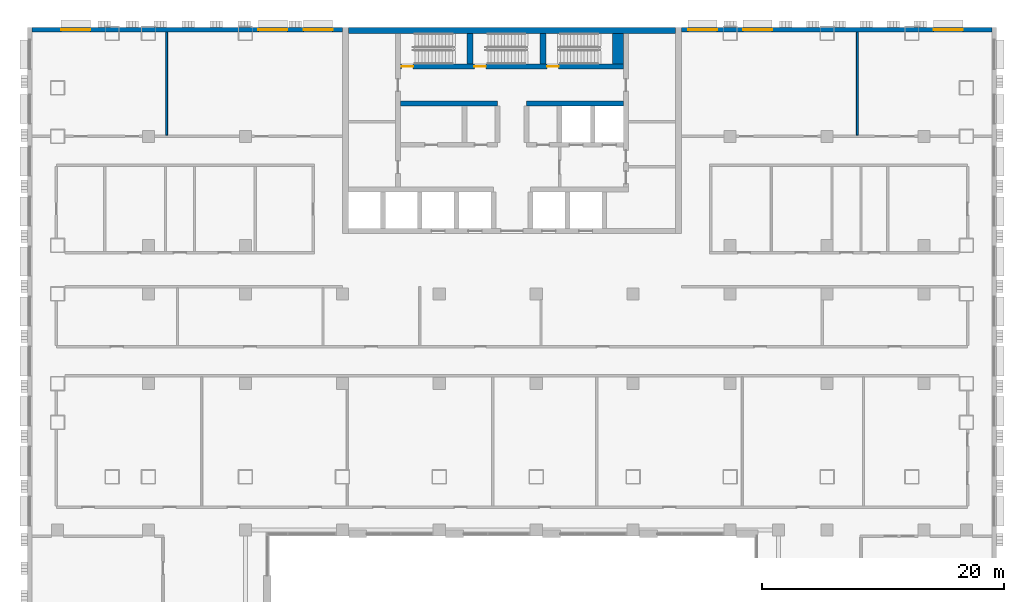
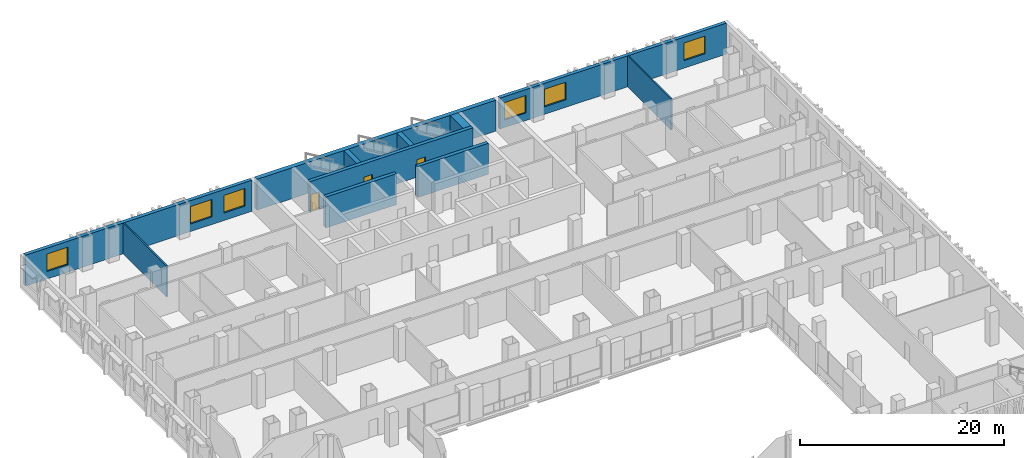
# One storey, part 16 of 25: 11 walls, 6 windows, 3 doors, 9 openings.
"""IFC4 building model written with IfcOpenShell, lengths in metres."""

from ifc_helpers import new_model, si_unit, direction, frame, frame_2d, origin, place, context, subcontext, project, spatial, rectangle, extrude, material, layer, layer_set, type_object, element, fill, save


model = new_model("IFC4")

# Units and contexts
model_context = context("Model", 3, precision=1e-05, world=origin(), true_north=direction((0.0, 1.0)))
body_context = subcontext(model_context, "Body", "Model", "MODEL_VIEW")
ifc_project = project(units=[si_unit("LENGTHUNIT", "METRE"), si_unit("AREAUNIT", "SQUARE_METRE"), si_unit("VOLUMEUNIT", "CUBIC_METRE"), si_unit("PLANEANGLEUNIT", "RADIAN"), si_unit("MASSUNIT", "GRAM", prefix="KILO")], contexts=[model_context])

# Site, building, storey
site_placement = place(None, origin())
site = spatial("IfcSite", under=ifc_project, at=site_placement, CompositionType="ELEMENT")
building_placement = place(site_placement, origin())
building = spatial("IfcBuilding", under=site, at=building_placement, Name="Vidyagriha Tower", CompositionType="ELEMENT")
storey_placement = place(building_placement, frame((0.0, 0.0, 14.0)))
storey = spatial("IfcBuildingStorey", under=building, at=storey_placement, Name="L03", CompositionType="ELEMENT", Elevation=14.0)

# Wall, openings, windows
ifc_material_1 = material(Name="Concrete C40/50 board-marked with brick facing", Category="concrete")
ifc_layer_1 = layer(ifc_material_1, 0.39990234375)
ifc_layer_set_1 = layer_set([ifc_layer_1], Name="Concrete C40/50 board-marked with brick facing")
wall_type_1 = type_object("IfcWallType", Name="Brick-faced board-marked concrete podium wall 400", PredefinedType="STANDARD", material=ifc_layer_set_1)
wall_1_placement = place(storey_placement, frame((39.60009765625, 19.800048828125, 0.0), z_axis=(0.0, 0.0, 1.0), x_axis=(-1.0, 0.0, 0.0)))
wall_1 = element("IfcWall", 1, at=wall_1_placement, inside=storey, type_object=wall_type_1, Name="Podium wall L03 R02", PredefinedType="STANDARD", context=body_context, shape_type="SweptSolid", body=[
    extrude(rectangle(XDim=25.60009765625, YDim=0.39990234375, at=frame_2d((12.800048828125, 0.0))), origin(), (0.0, 0.0, 1.0), 3.699951171875),
])
opening_1_placement = place(wall_1_placement, frame((2.39990234375, 0.0, 0.89990234375)))
opening_1 = element("IfcOpeningElement", 2, at=opening_1_placement, cuts=wall_1, Name="Opening WN3", PredefinedType="OPENING", context=body_context, shape_type="SweptSolid", body=[
    extrude(rectangle(XDim=2.39990234375, YDim=2.10009765625, at=frame_2d((1.199951171875, 1.050048828125))), frame((0.0, 0.2099609375, 0.0), z_axis=(0.0, -1.0, 0.0), x_axis=(1.0, 0.0, 0.0)), (0.0, 0.0, 1.0), 0.419921875),
])
opening_2_placement = place(wall_1_placement, frame((18.135009765625, 0.0, 0.89990234375)))
opening_2 = element("IfcOpeningElement", 3, at=opening_2_placement, cuts=wall_1, Name="Opening WN3", PredefinedType="OPENING", context=body_context, shape_type="SweptSolid", body=[
    extrude(rectangle(XDim=2.39990234375, YDim=2.10009765625, at=frame_2d((1.199951171875, 1.050048828125))), frame((0.0, 0.2099609375, 0.0), z_axis=(0.0, -1.0, 0.0), x_axis=(1.0, 0.0, 0.0)), (0.0, 0.0, 1.0), 0.419921875),
])
opening_3_placement = place(wall_1_placement, frame((22.6650390625, 0.0, 0.89990234375)))
opening_3 = element("IfcOpeningElement", 4, at=opening_3_placement, cuts=wall_1, Name="Opening WN3", PredefinedType="OPENING", context=body_context, shape_type="SweptSolid", body=[
    extrude(rectangle(XDim=2.39990234375, YDim=2.10009765625, at=frame_2d((1.199951171875, 1.050048828125))), frame((0.0, 0.2099609375, 0.0), z_axis=(0.0, -1.0, 0.0), x_axis=(1.0, 0.0, 0.0)), (0.0, 0.0, 1.0), 0.419921875),
])
ifc_material_2 = material(Name="Aluminium and glass window", Category="aluminium")
window_type = type_object("IfcWindowType", Name="Podium school window 2400x2100", PartitioningType="NOTDEFINED", PredefinedType="WINDOW", material=ifc_material_2)
window_1_placement = place(opening_1_placement, origin())
window_1 = element("IfcWindow", 5, at=window_1_placement, inside=storey, type_object=window_type, Name="School window L03 R02.2", OverallHeight=2.10009765625, OverallWidth=2.39990234375, PartitioningType="SINGLE_PANEL", PredefinedType="WINDOW", context=body_context, shape_type="SweptSolid", body=[
    extrude(rectangle(XDim=2.39990234375, YDim=2.10009765625, at=frame_2d((1.199951171875, 1.050048828125))), frame((0.0, 0.030029296875, 0.0), z_axis=(0.0, -1.0, 0.0), x_axis=(1.0, 0.0, 0.0)), (0.0, 0.0, 1.0), 0.06005859375),
])
fill(opening_1, window_1)
window_2_placement = place(opening_2_placement, origin())
window_2 = element("IfcWindow", 6, at=window_2_placement, inside=storey, type_object=window_type, Name="School window L03 R02.12", OverallHeight=2.10009765625, OverallWidth=2.39990234375, PartitioningType="SINGLE_PANEL", PredefinedType="WINDOW", context=body_context, shape_type="SweptSolid", body=[
    extrude(rectangle(XDim=2.39990234375, YDim=2.10009765625, at=frame_2d((1.199951171875, 1.050048828125))), frame((0.0, 0.030029296875, 0.0), z_axis=(0.0, -1.0, 0.0), x_axis=(1.0, 0.0, 0.0)), (0.0, 0.0, 1.0), 0.06005859375),
])
fill(opening_2, window_2)
window_3_placement = place(opening_3_placement, origin())
window_3 = element("IfcWindow", 7, at=window_3_placement, inside=storey, type_object=window_type, Name="School window L03 R02.14", OverallHeight=2.10009765625, OverallWidth=2.39990234375, PartitioningType="SINGLE_PANEL", PredefinedType="WINDOW", context=body_context, shape_type="SweptSolid", body=[
    extrude(rectangle(XDim=2.39990234375, YDim=2.10009765625, at=frame_2d((1.199951171875, 1.050048828125))), frame((0.0, 0.030029296875, 0.0), z_axis=(0.0, -1.0, 0.0), x_axis=(1.0, 0.0, 0.0)), (0.0, 0.0, 1.0), 0.06005859375),
])
fill(opening_3, window_3)

wall_2_placement = place(storey_placement, frame((-14.0, 19.800048828125, 0.0), z_axis=(0.0, 0.0, 1.0), x_axis=(-1.0, 0.0, 0.0)))
wall_2 = element("IfcWall", 8, at=wall_2_placement, inside=storey, type_object=wall_type_1, Name="Podium wall L03 R04", PredefinedType="STANDARD", context=body_context, shape_type="SweptSolid", body=[
    extrude(rectangle(XDim=25.60009765625, YDim=0.39990234375, at=frame_2d((12.800048828125, 0.0))), origin(), (0.0, 0.0, 1.0), 3.699951171875),
])
opening_4_placement = place(wall_2_placement, frame((0.800048828125, 0.0, 0.89990234375)))
opening_4 = element("IfcOpeningElement", 9, at=opening_4_placement, cuts=wall_2, Name="Opening WN3", PredefinedType="OPENING", context=body_context, shape_type="SweptSolid", body=[
    extrude(rectangle(XDim=2.39990234375, YDim=2.10009765625, at=frame_2d((1.199951171875, 1.050048828125))), frame((0.0, 0.2099609375, 0.0), z_axis=(0.0, -1.0, 0.0), x_axis=(1.0, 0.0, 0.0)), (0.0, 0.0, 1.0), 0.419921875),
])
opening_5_placement = place(wall_2_placement, frame((4.534912109375, 0.0, 0.89990234375)))
opening_5 = element("IfcOpeningElement", 10, at=opening_5_placement, cuts=wall_2, Name="Opening WN3", PredefinedType="OPENING", context=body_context, shape_type="SweptSolid", body=[
    extrude(rectangle(XDim=2.39990234375, YDim=2.10009765625, at=frame_2d((1.199951171875, 1.050048828125))), frame((0.0, 0.2099609375, 0.0), z_axis=(0.0, -1.0, 0.0), x_axis=(1.0, 0.0, 0.0)), (0.0, 0.0, 1.0), 0.419921875),
])
opening_6_placement = place(wall_2_placement, frame((20.800048828125, 0.0, 0.89990234375)))
opening_6 = element("IfcOpeningElement", 11, at=opening_6_placement, cuts=wall_2, Name="Opening WN3", PredefinedType="OPENING", context=body_context, shape_type="SweptSolid", body=[
    extrude(rectangle(XDim=2.39990234375, YDim=2.10009765625, at=frame_2d((1.199951171875, 1.050048828125))), frame((0.0, 0.2099609375, 0.0), z_axis=(0.0, -1.0, 0.0), x_axis=(1.0, 0.0, 0.0)), (0.0, 0.0, 1.0), 0.419921875),
])
window_4_placement = place(opening_4_placement, origin())
window_4 = element("IfcWindow", 12, at=window_4_placement, inside=storey, type_object=window_type, Name="School window L03 R04.1", OverallHeight=2.10009765625, OverallWidth=2.39990234375, PartitioningType="SINGLE_PANEL", PredefinedType="WINDOW", context=body_context, shape_type="SweptSolid", body=[
    extrude(rectangle(XDim=2.39990234375, YDim=2.10009765625, at=frame_2d((1.199951171875, 1.050048828125))), frame((0.0, 0.030029296875, 0.0), z_axis=(0.0, -1.0, 0.0), x_axis=(1.0, 0.0, 0.0)), (0.0, 0.0, 1.0), 0.06005859375),
])
fill(opening_4, window_4)
window_5_placement = place(opening_5_placement, origin())
window_5 = element("IfcWindow", 13, at=window_5_placement, inside=storey, type_object=window_type, Name="School window L03 R04.2", OverallHeight=2.10009765625, OverallWidth=2.39990234375, PartitioningType="SINGLE_PANEL", PredefinedType="WINDOW", context=body_context, shape_type="SweptSolid", body=[
    extrude(rectangle(XDim=2.39990234375, YDim=2.10009765625, at=frame_2d((1.199951171875, 1.050048828125))), frame((0.0, 0.030029296875, 0.0), z_axis=(0.0, -1.0, 0.0), x_axis=(1.0, 0.0, 0.0)), (0.0, 0.0, 1.0), 0.06005859375),
])
fill(opening_5, window_5)
window_6_placement = place(opening_6_placement, origin())
window_6 = element("IfcWindow", 14, at=window_6_placement, inside=storey, type_object=window_type, Name="School window L03 R04.13", OverallHeight=2.10009765625, OverallWidth=2.39990234375, PartitioningType="SINGLE_PANEL", PredefinedType="WINDOW", context=body_context, shape_type="SweptSolid", body=[
    extrude(rectangle(XDim=2.39990234375, YDim=2.10009765625, at=frame_2d((1.199951171875, 1.050048828125))), frame((0.0, 0.030029296875, 0.0), z_axis=(0.0, -1.0, 0.0), x_axis=(1.0, 0.0, 0.0)), (0.0, 0.0, 1.0), 0.06005859375),
])
fill(opening_6, window_6)

# Walls
ifc_material_3 = material(Name="Concrete C60/75", Category="concrete")
ifc_layer_2 = layer(ifc_material_3, 0.39990234375)
ifc_layer_set_2 = layer_set([ifc_layer_2], Name="Concrete C60/75")
wall_type_2 = type_object("IfcWallType", Name="Core shear wall 400 mm", PredefinedType="SHEAR", material=ifc_layer_set_2)
for number, where, name in (
    (15, (-9.199951171875, 13.699951171875, 0.0), "Core row N rear wall"),
    (16, (1.199951171875, 13.699951171875, 0.0), "Core row N rear wall"),
):
    element("IfcWall", number, at=place(storey_placement, frame(where)), inside=storey, type_object=wall_type_2, Name=name, PredefinedType="SHEAR", context=body_context, shape_type="SweptSolid", body=[
        extrude(rectangle(XDim=8.0, YDim=0.39990234375, at=frame_2d((4.0, 0.0))), origin(), (0.0, 0.0, 1.0), 3.699951171875),
    ])

# Wall, openings, doors
wall_3_placement = place(storey_placement, frame((-9.199951171875, 16.75, 0.0)))
wall_3 = element("IfcWall", 17, at=wall_3_placement, inside=storey, type_object=wall_type_2, Name="Stair front wall", PredefinedType="SHEAR", context=body_context, shape_type="SweptSolid", body=[
    extrude(rectangle(XDim=18.39990234375, YDim=0.39990234375, at=frame_2d((9.199951171875, 0.0))), origin(), (0.0, 0.0, 1.0), 3.699951171875),
])
opening_7_placement = place(wall_3_placement, frame((0.10009765625, 0.0, 0.0)))
opening_7 = element("IfcOpeningElement", 18, at=opening_7_placement, cuts=wall_3, Name="Opening D03-06", PredefinedType="OPENING", context=body_context, shape_type="SweptSolid", body=[
    extrude(rectangle(XDim=0.949951171875, YDim=2.10009765625, at=frame_2d((0.47509765625, 1.050048828125))), frame((0.0, 0.2099609375, 0.0), z_axis=(0.0, -1.0, 0.0), x_axis=(1.0, 0.0, 0.0)), (0.0, 0.0, 1.0), 0.419921875),
])
opening_8_placement = place(wall_3_placement, frame((6.10009765625, 0.0, 0.0)))
opening_8 = element("IfcOpeningElement", 19, at=opening_8_placement, cuts=wall_3, Name="Opening D03-07", PredefinedType="OPENING", context=body_context, shape_type="SweptSolid", body=[
    extrude(rectangle(XDim=0.949951171875, YDim=2.10009765625, at=frame_2d((0.47509765625, 1.050048828125))), frame((0.0, 0.2099609375, 0.0), z_axis=(0.0, -1.0, 0.0), x_axis=(1.0, 0.0, 0.0)), (0.0, 0.0, 1.0), 0.419921875),
])
opening_9_placement = place(wall_3_placement, frame((12.10009765625, 0.0, 0.0)))
opening_9 = element("IfcOpeningElement", 20, at=opening_9_placement, cuts=wall_3, Name="Opening D03-08", PredefinedType="OPENING", context=body_context, shape_type="SweptSolid", body=[
    extrude(rectangle(XDim=0.949951171875, YDim=2.10009765625, at=frame_2d((0.47509765625, 1.050048828125))), frame((0.0, 0.2099609375, 0.0), z_axis=(0.0, -1.0, 0.0), x_axis=(1.0, 0.0, 0.0)), (0.0, 0.0, 1.0), 0.419921875),
])
ifc_material_4 = material(Name="Hollow metal door leaf")
door_type = type_object("IfcDoorType", Name="Exit stair door 950 x 2100 mm EI 90", OperationType="NOTDEFINED", PredefinedType="DOOR", material=ifc_material_4)
door_1_placement = place(opening_7_placement, origin())
door_1 = element("IfcDoor", 21, at=door_1_placement, inside=storey, type_object=door_type, Name="Stair door ST1 L03", OperationType="SINGLE_SWING_LEFT", OverallHeight=2.10009765625, OverallWidth=0.949951171875, PredefinedType="DOOR", context=body_context, shape_type="SweptSolid", body=[
    extrude(rectangle(XDim=0.949951171875, YDim=2.10009765625, at=frame_2d((0.47509765625, 1.050048828125))), frame((0.0, 0.02490234375, 0.0), z_axis=(0.0, -1.0, 0.0), x_axis=(1.0, 0.0, 0.0)), (0.0, 0.0, 1.0), 0.050048828125),
])
fill(opening_7, door_1)
door_2_placement = place(opening_8_placement, origin())
door_2 = element("IfcDoor", 22, at=door_2_placement, inside=storey, type_object=door_type, Name="Stair door ST2 L03", OperationType="SINGLE_SWING_LEFT", OverallHeight=2.10009765625, OverallWidth=0.949951171875, PredefinedType="DOOR", context=body_context, shape_type="SweptSolid", body=[
    extrude(rectangle(XDim=0.949951171875, YDim=2.10009765625, at=frame_2d((0.47509765625, 1.050048828125))), frame((0.0, 0.02490234375, 0.0), z_axis=(0.0, -1.0, 0.0), x_axis=(1.0, 0.0, 0.0)), (0.0, 0.0, 1.0), 0.050048828125),
])
fill(opening_8, door_2)
door_3_placement = place(opening_9_placement, origin())
door_3 = element("IfcDoor", 23, at=door_3_placement, inside=storey, type_object=door_type, Name="Stair door ST3 L03", OperationType="SINGLE_SWING_LEFT", OverallHeight=2.10009765625, OverallWidth=0.949951171875, PredefinedType="DOOR", context=body_context, shape_type="SweptSolid", body=[
    extrude(rectangle(XDim=0.949951171875, YDim=2.10009765625, at=frame_2d((0.47509765625, 1.050048828125))), frame((0.0, 0.02490234375, 0.0), z_axis=(0.0, -1.0, 0.0), x_axis=(1.0, 0.0, 0.0)), (0.0, 0.0, 1.0), 0.050048828125),
])
fill(opening_9, door_3)

# Walls
ifc_material_5 = material(Name="Concrete C60/75", Category="concrete")
ifc_layer_3 = layer(ifc_material_5, 0.5)
ifc_layer_set_3 = layer_set([ifc_layer_3], Name="Concrete C60/75")
wall_type_3 = type_object("IfcWallType", Name="Core shear wall 500 mm", PredefinedType="SHEAR", material=ifc_layer_set_3)
for number, where, z_axis, x_axis, name in (
    (24, (-3.449951171875, 16.949951171875, 0.0), (0.0, 0.0, 1.0), (0.0, 1.0, 0.0), "Stair partition wall 1"),
    (25, (2.550048828125, 16.949951171875, 0.0), (0.0, 0.0, 1.0), (0.0, 1.0, 0.0), "Stair partition wall 2"),
):
    element("IfcWall", number, at=place(storey_placement, frame(where, z_axis=z_axis, x_axis=x_axis)), inside=storey, type_object=wall_type_3, Name=name, PredefinedType="SHEAR", context=body_context, shape_type="SweptSolid", body=[
        extrude(rectangle(XDim=2.550048828125, YDim=0.5, at=frame_2d((1.27490234375, 0.0))), origin(), (0.0, 0.0, 1.0), 3.699951171875),
    ])
ifc_material_6 = material(Name="Concrete C60/75 with brick facing", Category="concrete")
ifc_layer_4 = layer(ifc_material_6, 0.5)
ifc_layer_set_4 = layer_set([ifc_layer_4], Name="Concrete C60/75 with brick facing")
wall_type_4 = type_object("IfcWallType", Name="Core shear wall 500 mm, brick-faced", PredefinedType="SHEAR", material=ifc_layer_set_4)
wall_4_placement = place(storey_placement, frame((-13.5, 19.75, 0.0)))
element("IfcWall", 26, at=wall_4_placement, inside=storey, type_object=wall_type_4, Name="Core north wall", PredefinedType="SHEAR", context=body_context, shape_type="SweptSolid", body=[
    extrude(rectangle(XDim=27.0, YDim=0.5, at=frame_2d((13.5, 0.0))), origin(), (0.0, 0.0, 1.0), 3.699951171875),
])
ifc_material_7 = material(Name="Concrete C60/75", Category="concrete")
ifc_layer_5 = layer(ifc_material_7, 0.89990234375)
ifc_layer_set_5 = layer_set([ifc_layer_5], Name="Concrete C60/75")
wall_type_5 = type_object("IfcWallType", Name="Core shear wall 900 mm", PredefinedType="SHEAR", material=ifc_layer_set_5)
wall_5_placement = place(storey_placement, frame((8.75, 16.949951171875, 0.0), z_axis=(0.0, 0.0, 1.0), x_axis=(0.0, 1.0, 0.0)))
element("IfcWall", 27, at=wall_5_placement, inside=storey, type_object=wall_type_5, Name="Stair end wall", PredefinedType="SHEAR", context=body_context, shape_type="SweptSolid", body=[
    extrude(rectangle(XDim=2.550048828125, YDim=0.89990234375, at=frame_2d((1.27490234375, 0.0))), origin(), (0.0, 0.0, 1.0), 3.699951171875),
])
ifc_material_8 = material(Name="Gypsum board on light gauge framing")
ifc_layer_6 = layer(ifc_material_8, 0.14990234375)
ifc_layer_set_6 = layer_set([ifc_layer_6], Name="Gypsum board on light gauge framing")
wall_type_6 = type_object("IfcWallType", Name="Gypsum Board Partition 150", PredefinedType="PARTITIONING", material=ifc_layer_set_6)
for number, where, z_axis, x_axis, name in (
    (28, (-28.5, 11.10009765625, 0.0), (0.0, 0.0, 1.0), (0.0, 1.0, 0.0), "L03 Gypsum Board Partition 150 047"),
    (29, (28.5, 11.10009765625, 0.0), (0.0, 0.0, 1.0), (0.0, 1.0, 0.0), "L03 Gypsum Board Partition 150 072"),
):
    element("IfcWall", number, at=place(storey_placement, frame(where, z_axis=z_axis, x_axis=x_axis)), inside=storey, type_object=wall_type_6, Name=name, PredefinedType="PARTITIONING", context=body_context, shape_type="SweptSolid", body=[
        extrude(rectangle(XDim=8.499755859375, YDim=0.14990234375, at=frame_2d((4.25, 0.0))), origin(), (0.0, 0.0, 1.0), 3.699951171875),
    ])

save(model, "model.ifc")
